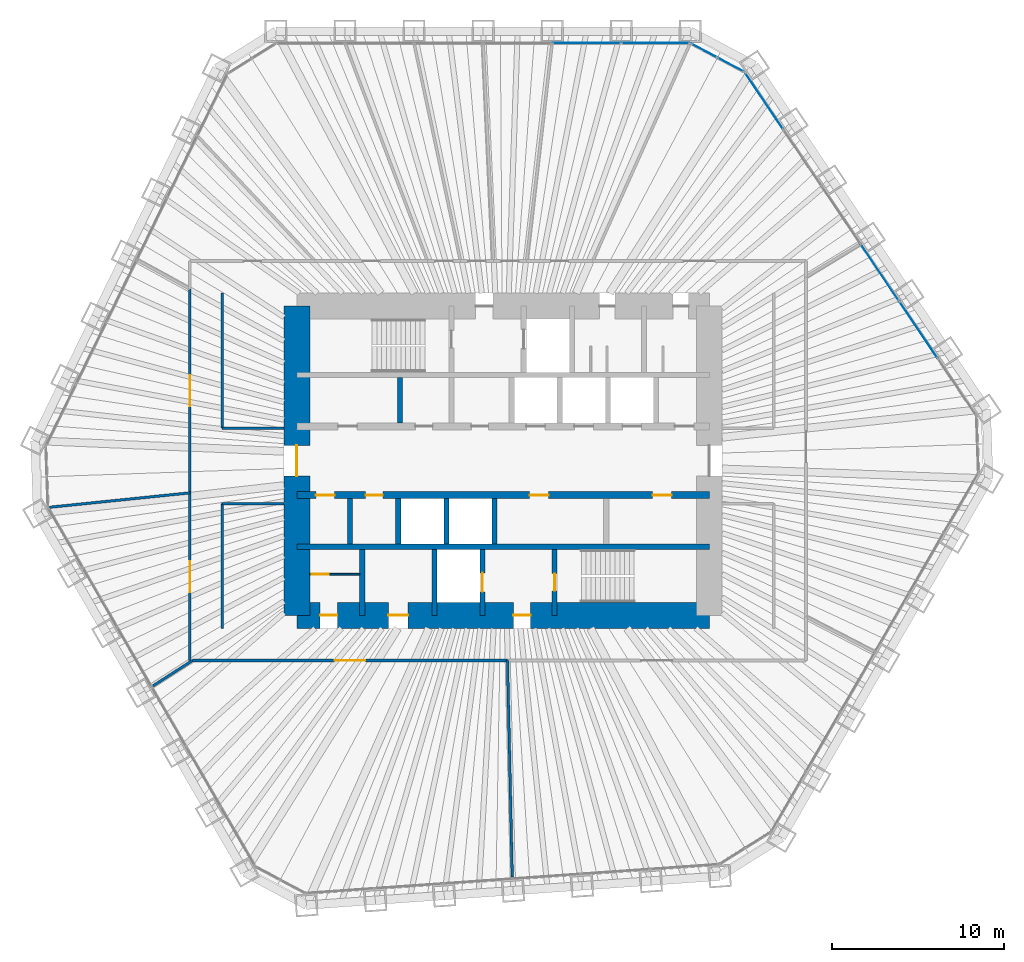
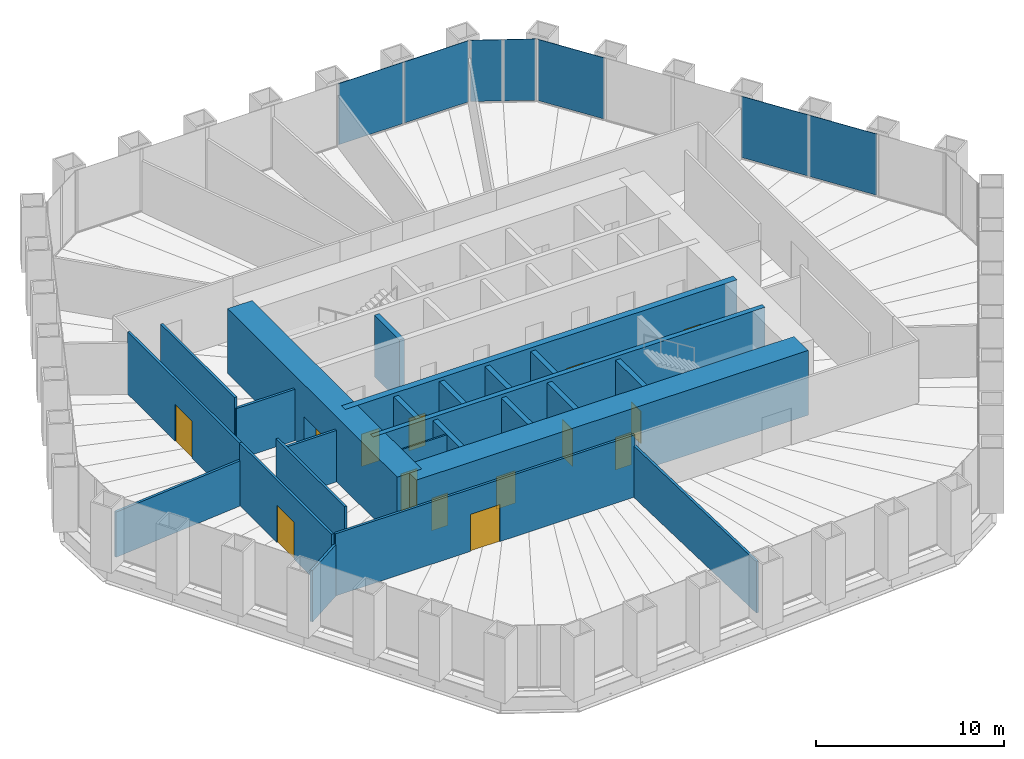
# One storey, part 10 of 13: 24 walls, 14 doors, 7 plates, 14 openings, 3 elements without a shape of their own.
"""IFC4 building model written with IfcOpenShell, lengths in metres."""

from ifc_helpers import new_model, si_unit, direction, frame, frame_2d, origin, origin_2d, place, context, subcontext, project, spatial, rectangle, extrude, material, layer, layer_set, type_object, element, fill, aggregate, save


model = new_model("IFC4")

# Units and contexts
model_context = context("Model", 3, precision=1e-05, world=origin(), true_north=direction((0.0, 1.0)))
body_context = subcontext(model_context, "Body", "Model", "MODEL_VIEW")
ifc_project = project(units=[si_unit("LENGTHUNIT", "METRE"), si_unit("AREAUNIT", "SQUARE_METRE"), si_unit("VOLUMEUNIT", "CUBIC_METRE"), si_unit("PLANEANGLEUNIT", "RADIAN"), si_unit("MASSUNIT", "GRAM", prefix="KILO")], contexts=[model_context])

# Site, building, storey
site_placement = place(None, origin())
site = spatial("IfcSite", under=ifc_project, at=site_placement, CompositionType="ELEMENT")
building_placement = place(site_placement, origin())
building = spatial("IfcBuilding", under=site, at=building_placement, Name="Qingtian Harvest Tower", CompositionType="ELEMENT")
storey_placement = place(building_placement, frame((0.0, 0.0, 145.0)))
storey = spatial("IfcBuildingStorey", under=building, at=storey_placement, Name="L30", CompositionType="ELEMENT", Elevation=145.0)

# Curtain wall, plates
ifc_material_1 = material(Name="Bronze-anodised aluminium curtain wall", Category="aluminium")
curtain_wall_type = type_object("IfcCurtainWallType", Name="Curtain wall CW4 office", PredefinedType="USERDEFINED", material=ifc_material_1)
curtain_wall_1_placement = place(storey_placement, origin())
curtain_wall_1 = element("IfcCurtainWall", 1, at=curtain_wall_1_placement, inside=storey, type_object=curtain_wall_type, Name="Curtain wall CW4 L30 N0-5", ObjectType="RECESSED CURTAIN WALL", PredefinedType="USERDEFINED")
ifc_material_2 = material(Name="Bronze-tinted laminated insulating glass", Category="glass")
ifc_layer_1 = layer(ifc_material_2, 0.030029296875)
ifc_layer_set_1 = layer_set([ifc_layer_1], Name="Glazed panel CWP tinted IGU")
plate_type = type_object("IfcPlateType", Name="Glazed panel CWP tinted IGU", PredefinedType="CURTAIN_PANEL", material=ifc_layer_set_1)
plate_1_placement = place(storey_placement, frame((4.864013671875, 24.300048828125, 0.06494140625), z_axis=(0.0, 0.0, 1.0), x_axis=(1.0, 0.0, 0.0)))
plate_1 = element("IfcPlate", 2, at=plate_1_placement, type_object=plate_type, Name="CW4 panel 5.1", PredefinedType="CURTAIN_PANEL", context=body_context, shape_type="SweptSolid", body=[
    extrude(rectangle(XDim=3.9541015625, YDim=0.030029296875, at=origin_2d()), origin(), (0.0, 0.0, 1.0), 3.965087890625),
])
plate_2_placement = place(storey_placement, frame((8.866943359375, 24.300048828125, 0.06494140625), z_axis=(0.0, 0.0, 1.0), x_axis=(1.0, 0.0, 0.0)))
plate_2 = element("IfcPlate", 3, at=plate_2_placement, type_object=plate_type, Name="CW4 panel 6.1", PredefinedType="CURTAIN_PANEL", context=body_context, shape_type="SweptSolid", body=[
    extrude(rectangle(XDim=3.921630859375, YDim=0.030029296875, at=origin_2d()), origin(), (0.0, 0.0, 1.0), 3.965087890625),
])
aggregate(curtain_wall_1, [plate_1, plate_2])

curtain_wall_2_placement = place(storey_placement, origin())
curtain_wall_2 = element("IfcCurtainWall", 4, at=curtain_wall_2_placement, inside=storey, type_object=curtain_wall_type, Name="Curtain wall CW4 L30 NC", ObjectType="RECESSED CURTAIN WALL", PredefinedType="USERDEFINED")
plate_3_placement = place(storey_placement, frame((11.697509765625, 23.8720703125, 0.06494140625), z_axis=(0.0, 0.0, 1.0), x_axis=(0.882947592859, -0.469471562786, 0.0)))
plate_3 = element("IfcPlate", 5, at=plate_3_placement, type_object=plate_type, Name="CW4 panel 1.1", PredefinedType="CURTAIN_PANEL", context=body_context, shape_type="SweptSolid", body=[
    extrude(rectangle(XDim=1.69287109375, YDim=0.030029296875, at=origin_2d()), origin(), (0.0, 0.0, 1.0), 3.965087890625),
])
plate_4_placement = place(storey_placement, frame((13.249755859375, 23.046875, 0.06494140625), z_axis=(0.0, 0.0, 1.0), x_axis=(0.882947592859, -0.469471562786, 0.0)))
plate_4 = element("IfcPlate", 6, at=plate_4_placement, type_object=plate_type, Name="CW4 panel 2.1", PredefinedType="CURTAIN_PANEL", context=body_context, shape_type="SweptSolid", body=[
    extrude(rectangle(XDim=1.69287109375, YDim=0.030029296875, at=origin_2d()), origin(), (0.0, 0.0, 1.0), 3.965087890625),
])
aggregate(curtain_wall_2, [plate_3, plate_4])

curtain_wall_3_placement = place(storey_placement, origin())
curtain_wall_3 = element("IfcCurtainWall", 7, at=curtain_wall_3_placement, inside=storey, type_object=curtain_wall_type, Name="Curtain wall CW4 L30 NE0-5", ObjectType="RECESSED CURTAIN WALL", PredefinedType="USERDEFINED")
plate_5_placement = place(storey_placement, frame((15.187255859375, 20.939453125, 0.06494140625), z_axis=(0.0, 0.0, 1.0), x_axis=(0.559192903471, -0.829037572555, 0.0)))
plate_5 = element("IfcPlate", 8, at=plate_5_placement, type_object=plate_type, Name="CW4 panel 1.1", PredefinedType="CURTAIN_PANEL", context=body_context, shape_type="SweptSolid", body=[
    extrude(rectangle(XDim=3.921630859375, YDim=0.030029296875, at=origin_2d()), origin(), (0.0, 0.0, 1.0), 3.965087890625),
])
plate_6_placement = place(storey_placement, frame((21.92041015625, 10.95703125, 0.06494140625), z_axis=(0.0, 0.0, 1.0), x_axis=(0.559192903471, -0.829037572555, 0.0)))
plate_6 = element("IfcPlate", 9, at=plate_6_placement, type_object=plate_type, Name="CW4 panel 4.1", PredefinedType="CURTAIN_PANEL", context=body_context, shape_type="SweptSolid", body=[
    extrude(rectangle(XDim=3.9541015625, YDim=0.030029296875, at=origin_2d()), origin(), (0.0, 0.0, 1.0), 3.965087890625),
])
plate_7_placement = place(storey_placement, frame((24.16796875, 7.625, 0.06494140625), z_axis=(0.0, 0.0, 1.0), x_axis=(0.559192903471, -0.829037572555, 0.0)))
plate_7 = element("IfcPlate", 10, at=plate_7_placement, type_object=plate_type, Name="CW4 panel 5.1", PredefinedType="CURTAIN_PANEL", context=body_context, shape_type="SweptSolid", body=[
    extrude(rectangle(XDim=3.9541015625, YDim=0.030029296875, at=origin_2d()), origin(), (0.0, 0.0, 1.0), 3.965087890625),
])
aggregate(curtain_wall_3, [plate_5, plate_6, plate_7])

# Wall
ifc_material_3 = material(Name="Concrete fc' 70 MPa", Category="concrete")
ifc_layer_2 = layer(ifc_material_3, 0.300048828125)
ifc_layer_set_2 = layer_set([ifc_layer_2], Name="Core inner wall RC5 300")
wall_type_1 = type_object("IfcWallType", Name="Core inner wall RC5 300", PredefinedType="SHEAR", material=ifc_layer_set_2)
wall_1_placement = place(storey_placement, frame((-12.0, -5.0, 0.0), z_axis=(0.0, 0.0, 1.0), x_axis=(1.0, 0.0, 0.0)))
element("IfcWall", 11, at=wall_1_placement, inside=storey, type_object=wall_type_1, Name="Core wall IS5 L30", PredefinedType="SHEAR", context=body_context, shape_type="SweptSolid", body=[
    extrude(rectangle(XDim=24.0, YDim=0.300048828125, at=frame_2d((12.0, 0.0))), origin(), (0.0, 0.0, 1.0), 4.199951171875),
])

# Wall, openings, doors
ifc_material_4 = material(Name="Concrete fc' 70 MPa", Category="concrete")
ifc_layer_3 = layer(ifc_material_4, 0.39990234375)
ifc_layer_set_3 = layer_set([ifc_layer_3], Name="Core inner web RC6 400")
wall_type_2 = type_object("IfcWallType", Name="Core inner web RC6 400", PredefinedType="SHEAR", material=ifc_layer_set_3)
wall_2_placement = place(storey_placement, frame((-12.0, -2.0, 0.0), z_axis=(0.0, 0.0, 1.0), x_axis=(1.0, 0.0, 0.0)))
wall_2 = element("IfcWall", 12, at=wall_2_placement, inside=storey, type_object=wall_type_2, Name="Core wall IS2 L30", PredefinedType="SHEAR", context=body_context, shape_type="SweptSolid", body=[
    extrude(rectangle(XDim=24.0, YDim=0.39990234375, at=frame_2d((12.0, 0.0))), origin(), (0.0, 0.0, 1.0), 4.199951171875),
])
opening_1_placement = place(wall_2_placement, frame((1.10009765625, 0.0, 0.0)))
opening_1 = element("IfcOpeningElement", 13, at=opening_1_placement, cuts=wall_2, Name="Opening FD4", PredefinedType="OPENING", context=body_context, shape_type="SweptSolid", body=[
    extrude(rectangle(XDim=1.10009765625, YDim=2.10009765625, at=frame_2d((0.550048828125, 1.050048828125))), frame((0.0, 0.2099609375, 0.0), z_axis=(0.0, -1.0, 0.0), x_axis=(1.0, 0.0, 0.0)), (0.0, 0.0, 1.0), 0.419921875),
])
opening_2_placement = place(wall_2_placement, frame((13.550048828125, 0.0, 0.0)))
opening_2 = element("IfcOpeningElement", 14, at=opening_2_placement, cuts=wall_2, Name="Opening FD4", PredefinedType="OPENING", context=body_context, shape_type="SweptSolid", body=[
    extrude(rectangle(XDim=1.10009765625, YDim=2.10009765625, at=frame_2d((0.550048828125, 1.050048828125))), frame((0.0, 0.2099609375, 0.0), z_axis=(0.0, -1.0, 0.0), x_axis=(1.0, 0.0, 0.0)), (0.0, 0.0, 1.0), 0.419921875),
])
opening_3_placement = place(wall_2_placement, frame((20.699951171875, 0.0, 0.0)))
opening_3 = element("IfcOpeningElement", 15, at=opening_3_placement, cuts=wall_2, Name="Opening FD4", PredefinedType="OPENING", context=body_context, shape_type="SweptSolid", body=[
    extrude(rectangle(XDim=1.10009765625, YDim=2.10009765625, at=frame_2d((0.550048828125, 1.050048828125))), frame((0.0, 0.2099609375, 0.0), z_axis=(0.0, -1.0, 0.0), x_axis=(1.0, 0.0, 0.0)), (0.0, 0.0, 1.0), 0.419921875),
])
opening_4_placement = place(wall_2_placement, frame((4.0, 0.0, 0.0)))
opening_4 = element("IfcOpeningElement", 16, at=opening_4_placement, cuts=wall_2, Name="Opening FD1", PredefinedType="OPENING", context=body_context, shape_type="SweptSolid", body=[
    extrude(rectangle(XDim=1.0, YDim=2.10009765625, at=frame_2d((0.5, 1.050048828125))), frame((0.0, 0.2099609375, 0.0), z_axis=(0.0, -1.0, 0.0), x_axis=(1.0, 0.0, 0.0)), (0.0, 0.0, 1.0), 0.419921875),
])
ifc_material_5 = material(Name="Steel-faced door leaf", Category="steel")
door_type_1 = type_object("IfcDoorType", Name="Fire door FD1 single 1 HR", OperationType="SINGLE_SWING_LEFT", PredefinedType="DOOR", material=ifc_material_5)
door_1_placement = place(opening_4_placement, origin())
door_1 = element("IfcDoor", 17, at=door_1_placement, inside=storey, type_object=door_type_1, Name="Archive store door L30", OperationType="SINGLE_SWING_RIGHT", OverallHeight=2.10009765625, OverallWidth=1.0, PredefinedType="DOOR", context=body_context, shape_type="SweptSolid", body=[
    extrude(rectangle(XDim=1.0, YDim=2.10009765625, at=frame_2d((0.5, 1.050048828125))), frame((0.0, 0.02490234375, 0.0), z_axis=(0.0, -1.0, 0.0), x_axis=(1.0, 0.0, 0.0)), (0.0, 0.0, 1.0), 0.050048828125),
])
fill(opening_4, door_1)
ifc_material_6 = material(Name="Steel-faced door leaf", Category="steel")
door_type_2 = type_object("IfcDoorType", Name="Fire door FD4 single 2 HR", OperationType="SINGLE_SWING_LEFT", PredefinedType="DOOR", material=ifc_material_6)
door_2_placement = place(opening_1_placement, origin())
door_2 = element("IfcDoor", 18, at=door_2_placement, inside=storey, type_object=door_type_2, Name="RB door L30", OperationType="SINGLE_SWING_LEFT", OverallHeight=2.10009765625, OverallWidth=1.10009765625, PredefinedType="DOOR", context=body_context, shape_type="SweptSolid", body=[
    extrude(rectangle(XDim=1.10009765625, YDim=2.10009765625, at=frame_2d((0.550048828125, 1.050048828125))), frame((0.0, 0.02490234375, 0.0), z_axis=(0.0, -1.0, 0.0), x_axis=(1.0, 0.0, 0.0)), (0.0, 0.0, 1.0), 0.050048828125),
])
fill(opening_1, door_2)
door_3_placement = place(opening_2_placement, origin())
door_3 = element("IfcDoor", 19, at=door_3_placement, inside=storey, type_object=door_type_2, Name="ELEC door L30", OperationType="SINGLE_SWING_RIGHT", OverallHeight=2.10009765625, OverallWidth=1.10009765625, PredefinedType="DOOR", context=body_context, shape_type="SweptSolid", body=[
    extrude(rectangle(XDim=1.10009765625, YDim=2.10009765625, at=frame_2d((0.550048828125, 1.050048828125))), frame((0.0, 0.02490234375, 0.0), z_axis=(0.0, -1.0, 0.0), x_axis=(1.0, 0.0, 0.0)), (0.0, 0.0, 1.0), 0.050048828125),
])
fill(opening_2, door_3)
door_4_placement = place(opening_3_placement, origin())
door_4 = element("IfcDoor", 20, at=door_4_placement, inside=storey, type_object=door_type_2, Name="DUCT door L30", OperationType="SINGLE_SWING_LEFT", OverallHeight=2.10009765625, OverallWidth=1.10009765625, PredefinedType="DOOR", context=body_context, shape_type="SweptSolid", body=[
    extrude(rectangle(XDim=1.10009765625, YDim=2.10009765625, at=frame_2d((0.550048828125, 1.050048828125))), frame((0.0, 0.02490234375, 0.0), z_axis=(0.0, -1.0, 0.0), x_axis=(1.0, 0.0, 0.0)), (0.0, 0.0, 1.0), 0.050048828125),
])
fill(opening_3, door_4)

# Walls
ifc_material_7 = material(Name="Precast concrete shaft panel", Category="concrete")
ifc_layer_4 = layer(ifc_material_7, 0.300048828125)
ifc_layer_set_4 = layer_set([ifc_layer_4], Name="Core shaft partition SW1 300")
wall_type_3 = type_object("IfcWallType", Name="Core shaft partition SW1 300", PredefinedType="PARTITIONING", material=ifc_layer_set_4)
for number, where, z_axis, x_axis, name in (
    (21, (-6.0, 2.199951171875, 0.0), (0.0, 0.0, 1.0), (0.0, 1.0, 0.0), "Core shaft partition XA1 L30"),
    (22, (-8.89990234375, -4.85009765625, 0.0), (0.0, 0.0, 1.0), (0.0, 1.0, 0.0), "Core shaft partition XB1 L30"),
    (23, (-6.10009765625, -4.85009765625, 0.0), (0.0, 0.0, 1.0), (0.0, 1.0, 0.0), "Core shaft partition XB2 L30"),
    (24, (-3.300048828125, -4.85009765625, 0.0), (0.0, 0.0, 1.0), (0.0, 1.0, 0.0), "Core shaft partition XB3 L30"),
    (25, (-0.5, -4.85009765625, 0.0), (0.0, 0.0, 1.0), (0.0, 1.0, 0.0), "Core shaft partition XB4 L30"),
):
    element("IfcWall", number, at=place(storey_placement, frame(where, z_axis=z_axis, x_axis=x_axis)), inside=storey, type_object=wall_type_3, Name=name, PredefinedType="PARTITIONING", context=body_context, shape_type="SweptSolid", body=[
        extrude(rectangle(XDim=2.650146484375, YDim=0.300048828125, at=frame_2d((1.3251953125, 0.0))), origin(), (0.0, 0.0, 1.0), 3.97998046875),
    ])
for number, where, z_axis, x_axis, name in (
    (26, (-8.199951171875, -9.0, 0.0), (0.0, 0.0, 1.0), (0.0, 1.0, 0.0), "Core shaft partition XS1 L30"),
    (27, (-4.0, -9.0, 0.0), (0.0, 0.0, 1.0), (0.0, 1.0, 0.0), "Core shaft partition XS2 L30"),
):
    element("IfcWall", number, at=place(storey_placement, frame(where, z_axis=z_axis, x_axis=x_axis)), inside=storey, type_object=wall_type_3, Name=name, PredefinedType="PARTITIONING", context=body_context, shape_type="SweptSolid", body=[
        extrude(rectangle(XDim=3.85009765625, YDim=0.300048828125, at=frame_2d((1.925048828125, 0.0))), origin(), (0.0, 0.0, 1.0), 3.97998046875),
    ])

# Wall, opening, door
wall_3_placement = place(storey_placement, frame((-1.199951171875, -9.0, 0.0), z_axis=(0.0, 0.0, 1.0), x_axis=(0.0, 1.0, 0.0)))
wall_3 = element("IfcWall", 28, at=wall_3_placement, inside=storey, type_object=wall_type_3, Name="Core shaft partition XS3 L30", PredefinedType="PARTITIONING", context=body_context, shape_type="SweptSolid", body=[
    extrude(rectangle(XDim=3.85009765625, YDim=0.300048828125, at=frame_2d((1.925048828125, 0.0))), origin(), (0.0, 0.0, 1.0), 3.97998046875),
])
opening_5_placement = place(wall_3_placement, frame((1.375, 0.0, 0.0)))
opening_5 = element("IfcOpeningElement", 29, at=opening_5_placement, cuts=wall_3, Name="Opening LD1", PredefinedType="OPENING", context=body_context, shape_type="SweptSolid", body=[
    extrude(rectangle(XDim=1.10009765625, YDim=2.39990234375, at=frame_2d((0.550048828125, 1.199951171875))), frame((0.0, 0.159912109375, 0.0), z_axis=(0.0, -1.0, 0.0), x_axis=(1.0, 0.0, 0.0)), (0.0, 0.0, 1.0), 0.320068359375),
])
ifc_material_8 = material(Name="Stainless steel lift landing door", Category="steel")
door_type_3 = type_object("IfcDoorType", Name="Lift landing door LD1 1 HR", OperationType="DOUBLE_DOOR_SLIDING", PredefinedType="DOOR", material=ifc_material_8)
door_5_placement = place(opening_5_placement, origin())
door_5 = element("IfcDoor", 30, at=door_5_placement, inside=storey, type_object=door_type_3, Name="FL2 landing door L30", OperationType="DOUBLE_DOOR_SLIDING", OverallHeight=2.39990234375, OverallWidth=1.10009765625, PredefinedType="DOOR", context=body_context, shape_type="SweptSolid", body=[
    extrude(rectangle(XDim=1.10009765625, YDim=2.39990234375, at=frame_2d((0.550048828125, 1.199951171875))), frame((0.0, 0.02490234375, 0.0), z_axis=(0.0, -1.0, 0.0), x_axis=(1.0, 0.0, 0.0)), (0.0, 0.0, 1.0), 0.050048828125),
])
fill(opening_5, door_5)

wall_4_placement = place(storey_placement, frame((3.0, -9.0, 0.0), z_axis=(0.0, 0.0, 1.0), x_axis=(0.0, 1.0, 0.0)))
wall_4 = element("IfcWall", 31, at=wall_4_placement, inside=storey, type_object=wall_type_3, Name="Core shaft partition XS4 L30", PredefinedType="PARTITIONING", context=body_context, shape_type="SweptSolid", body=[
    extrude(rectangle(XDim=3.85009765625, YDim=0.300048828125, at=frame_2d((1.925048828125, 0.0))), origin(), (0.0, 0.0, 1.0), 3.97998046875),
])
opening_6_placement = place(wall_4_placement, frame((1.425048828125, 0.0, 0.0)))
opening_6 = element("IfcOpeningElement", 32, at=opening_6_placement, cuts=wall_4, Name="Opening FD1", PredefinedType="OPENING", context=body_context, shape_type="SweptSolid", body=[
    extrude(rectangle(XDim=1.0, YDim=2.10009765625, at=frame_2d((0.5, 1.050048828125))), frame((0.0, 0.159912109375, 0.0), z_axis=(0.0, -1.0, 0.0), x_axis=(1.0, 0.0, 0.0)), (0.0, 0.0, 1.0), 0.320068359375),
])
door_6_placement = place(opening_6_placement, origin())
door_6 = element("IfcDoor", 33, at=door_6_placement, inside=storey, type_object=door_type_1, Name="S2 door L30", OperationType="SINGLE_SWING_RIGHT", OverallHeight=2.10009765625, OverallWidth=1.0, PredefinedType="DOOR", context=body_context, shape_type="SweptSolid", body=[
    extrude(rectangle(XDim=1.0, YDim=2.10009765625, at=frame_2d((0.5, 1.050048828125))), frame((0.0, 0.02490234375, 0.0), z_axis=(0.0, -1.0, 0.0), x_axis=(1.0, 0.0, 0.0)), (0.0, 0.0, 1.0), 0.050048828125),
])
fill(opening_6, door_6)

# Wall, openings, doors
ifc_material_9 = material(Name="Concrete fc' 70 MPa", Category="concrete")
ifc_layer_5 = layer(ifc_material_9, 1.5)
ifc_layer_set_5 = layer_set([ifc_layer_5], Name="Core wall RC1 1500")
wall_type_4 = type_object("IfcWallType", Name="Core wall RC1 1500", PredefinedType="SHEAR", material=ifc_layer_set_5)
wall_5_placement = place(storey_placement, frame((-12.0, -9.0, 0.0), z_axis=(0.0, 0.0, 1.0), x_axis=(1.0, 0.0, 0.0)))
wall_5 = element("IfcWall", 34, at=wall_5_placement, inside=storey, type_object=wall_type_4, Name="Core wall CS L30", PredefinedType="SHEAR", context=body_context, shape_type="SweptSolid", body=[
    extrude(rectangle(XDim=24.0, YDim=1.5, at=frame_2d((12.0, 0.0))), origin(), (0.0, 0.0, 1.0), 4.199951171875),
])
opening_7_placement = place(wall_5_placement, frame((1.35009765625, 0.0, 0.0)))
opening_7 = element("IfcOpeningElement", 35, at=opening_7_placement, cuts=wall_5, Name="Opening FD1", PredefinedType="OPENING", context=body_context, shape_type="SweptSolid", body=[
    extrude(rectangle(XDim=1.0, YDim=2.10009765625, at=frame_2d((0.5, 1.050048828125))), frame((0.0, 0.760009765625, 0.0), z_axis=(0.0, -1.0, 0.0), x_axis=(1.0, 0.0, 0.0)), (0.0, 0.0, 1.0), 1.52001953125),
])
opening_8_placement = place(wall_5_placement, frame((5.324951171875, 0.0, 0.0)))
opening_8 = element("IfcOpeningElement", 36, at=opening_8_placement, cuts=wall_5, Name="Opening AD1", PredefinedType="OPENING", context=body_context, shape_type="SweptSolid", body=[
    extrude(rectangle(XDim=1.14990234375, YDim=2.10009765625, at=frame_2d((0.574951171875, 1.050048828125))), frame((0.0, 0.760009765625, 0.0), z_axis=(0.0, -1.0, 0.0), x_axis=(1.0, 0.0, 0.0)), (0.0, 0.0, 1.0), 1.52001953125),
])
opening_9_placement = place(wall_5_placement, frame((12.60009765625, 0.0, 0.0)))
opening_9 = element("IfcOpeningElement", 37, at=opening_9_placement, cuts=wall_5, Name="Opening FD1", PredefinedType="OPENING", context=body_context, shape_type="SweptSolid", body=[
    extrude(rectangle(XDim=1.0, YDim=2.10009765625, at=frame_2d((0.5, 1.050048828125))), frame((0.0, 0.760009765625, 0.0), z_axis=(0.0, -1.0, 0.0), x_axis=(1.0, 0.0, 0.0)), (0.0, 0.0, 1.0), 1.52001953125),
])
ifc_material_10 = material(Name="Laminated timber door leaf", Category="wood")
door_type_4 = type_object("IfcDoorType", Name="Accessible WC door AD1 single", OperationType="SINGLE_SWING_LEFT", PredefinedType="DOOR", material=ifc_material_10)
door_7_placement = place(opening_8_placement, origin())
door_7 = element("IfcDoor", 38, at=door_7_placement, inside=storey, type_object=door_type_4, Name="AWC door L30", OperationType="SINGLE_SWING_RIGHT", OverallHeight=2.10009765625, OverallWidth=1.14990234375, PredefinedType="DOOR", context=body_context, shape_type="SweptSolid", body=[
    extrude(rectangle(XDim=1.14990234375, YDim=2.10009765625, at=frame_2d((0.574951171875, 1.050048828125))), frame((0.0, 0.02490234375, 0.0), z_axis=(0.0, -1.0, 0.0), x_axis=(1.0, 0.0, 0.0)), (0.0, 0.0, 1.0), 0.050048828125),
])
fill(opening_8, door_7)
door_8_placement = place(opening_7_placement, origin())
door_8 = element("IfcDoor", 39, at=door_8_placement, inside=storey, type_object=door_type_1, Name="CLN door L30", OperationType="SINGLE_SWING_LEFT", OverallHeight=2.10009765625, OverallWidth=1.0, PredefinedType="DOOR", context=body_context, shape_type="SweptSolid", body=[
    extrude(rectangle(XDim=1.0, YDim=2.10009765625, at=frame_2d((0.5, 1.050048828125))), frame((0.0, 0.02490234375, 0.0), z_axis=(0.0, -1.0, 0.0), x_axis=(1.0, 0.0, 0.0)), (0.0, 0.0, 1.0), 0.050048828125),
])
fill(opening_7, door_8)
door_9_placement = place(opening_9_placement, origin())
door_9 = element("IfcDoor", 40, at=door_9_placement, inside=storey, type_object=door_type_1, Name="V2 door L30", OperationType="SINGLE_SWING_RIGHT", OverallHeight=2.10009765625, OverallWidth=1.0, PredefinedType="DOOR", context=body_context, shape_type="SweptSolid", body=[
    extrude(rectangle(XDim=1.0, YDim=2.10009765625, at=frame_2d((0.5, 1.050048828125))), frame((0.0, 0.02490234375, 0.0), z_axis=(0.0, -1.0, 0.0), x_axis=(1.0, 0.0, 0.0)), (0.0, 0.0, 1.0), 0.050048828125),
])
fill(opening_9, door_9)

# Wall, opening, door
wall_6_placement = place(storey_placement, frame((-12.0, -9.0, 0.0), z_axis=(0.0, 0.0, 1.0), x_axis=(0.0, 1.0, 0.0)))
wall_6 = element("IfcWall", 41, at=wall_6_placement, inside=storey, type_object=wall_type_4, Name="Core wall CW L30", PredefinedType="SHEAR", context=body_context, shape_type="SweptSolid", body=[
    extrude(rectangle(XDim=18.0, YDim=1.5, at=frame_2d((9.0, 0.0))), origin(), (0.0, 0.0, 1.0), 4.199951171875),
])
opening_10_placement = place(wall_6_placement, frame((8.10009765625, 0.0, 0.0)))
opening_10 = element("IfcOpeningElement", 42, at=opening_10_placement, cuts=wall_6, Name="Opening FD2", PredefinedType="OPENING", context=body_context, shape_type="SweptSolid", body=[
    extrude(rectangle(XDim=1.800048828125, YDim=2.10009765625, at=frame_2d((0.89990234375, 1.050048828125))), frame((0.0, 0.760009765625, 0.0), z_axis=(0.0, -1.0, 0.0), x_axis=(1.0, 0.0, 0.0)), (0.0, 0.0, 1.0), 1.52001953125),
])
ifc_material_11 = material(Name="Steel-faced door leaf", Category="steel")
door_type_5 = type_object("IfcDoorType", Name="Fire door FD2 double 1 HR", OperationType="DOUBLE_DOOR_DOUBLE_SWING", PredefinedType="DOOR", material=ifc_material_11)
door_10_placement = place(opening_10_placement, origin())
door_10 = element("IfcDoor", 43, at=door_10_placement, inside=storey, type_object=door_type_5, Name="LOBBY-W door L30", OperationType="DOUBLE_DOOR_DOUBLE_SWING", OverallHeight=2.10009765625, OverallWidth=1.800048828125, PredefinedType="DOOR", context=body_context, shape_type="SweptSolid", body=[
    extrude(rectangle(XDim=1.800048828125, YDim=2.10009765625, at=frame_2d((0.89990234375, 1.050048828125))), frame((0.0, 0.02490234375, 0.0), z_axis=(0.0, -1.0, 0.0), x_axis=(1.0, 0.0, 0.0)), (0.0, 0.0, 1.0), 0.050048828125),
])
fill(opening_10, door_10)

# Wall
ifc_material_12 = material(Name="Gypsum board on steel studs", Category="steel")
ifc_layer_6 = layer(ifc_material_12, 0.14990234375)
ifc_layer_set_6 = layer_set([ifc_layer_6], Name="Partition PT1 150")
wall_type_5 = type_object("IfcWallType", Name="Partition PT1 150", PredefinedType="PARTITIONING", material=ifc_layer_set_6)
wall_7_placement = place(storey_placement, frame((0.53125, -24.22216796875, 0.0), z_axis=(0.0, 0.0, 1.0), x_axis=(-0.021933557026, 0.999759430601, 0.0)))
element("IfcWall", 44, at=wall_7_placement, inside=storey, type_object=wall_type_5, Name="Office suite wall L30", PredefinedType="PARTITIONING", context=body_context, shape_type="SweptSolid", body=[
    extrude(rectangle(XDim=12.60009765625, YDim=0.14990234375, at=frame_2d((6.300048828125, 0.0))), origin(), (0.0, 0.0, 1.0), 3.330078125),
])

# Wall, opening, door
wall_8_placement = place(storey_placement, frame((0.2548828125, -11.625, 0.0), z_axis=(0.0, 0.0, 1.0), x_axis=(-1.0, 0.0, 0.0)))
wall_8 = element("IfcWall", 45, at=wall_8_placement, inside=storey, type_object=wall_type_5, Name="Office suite wall L30", PredefinedType="PARTITIONING", context=body_context, shape_type="SweptSolid", body=[
    extrude(rectangle(XDim=18.332275390625, YDim=0.14990234375, at=frame_2d((9.166015625, 0.0))), origin(), (0.0, 0.0, 1.0), 4.030029296875),
])
opening_11_placement = place(wall_8_placement, frame((8.26611328125, 0.0, 0.0)))
opening_11 = element("IfcOpeningElement", 46, at=opening_11_placement, cuts=wall_8, Name="Opening D3", PredefinedType="OPENING", context=body_context, shape_type="SweptSolid", body=[
    extrude(rectangle(XDim=1.800048828125, YDim=2.39990234375, at=frame_2d((0.89990234375, 1.199951171875))), frame((0.0, 0.0849609375, 0.0), z_axis=(0.0, -1.0, 0.0), x_axis=(1.0, 0.0, 0.0)), (0.0, 0.0, 1.0), 0.169921875),
])
ifc_material_13 = material(Name="Laminated timber door leaf", Category="wood")
door_type_6 = type_object("IfcDoorType", Name="Room door D3 double", OperationType="DOUBLE_DOOR_DOUBLE_SWING", PredefinedType="DOOR", material=ifc_material_13)
door_11_placement = place(opening_11_placement, origin())
door_11 = element("IfcDoor", 47, at=door_11_placement, inside=storey, type_object=door_type_6, Name="Office suite door L30", OperationType="DOUBLE_DOOR_DOUBLE_SWING", OverallHeight=2.39990234375, OverallWidth=1.800048828125, PredefinedType="DOOR", context=body_context, shape_type="SweptSolid", body=[
    extrude(rectangle(XDim=1.800048828125, YDim=2.39990234375, at=frame_2d((0.89990234375, 1.199951171875))), frame((0.0, 0.02490234375, 0.0), z_axis=(0.0, -1.0, 0.0), x_axis=(1.0, 0.0, 0.0)), (0.0, 0.0, 1.0), 0.050048828125),
])
fill(opening_11, door_11)

# Wall
wall_9_placement = place(storey_placement, frame((-20.378173828125, -13.1044921875, 0.0), z_axis=(0.0, 0.0, 1.0), x_axis=(0.841108871346, 0.540865848934, 0.0)))
element("IfcWall", 48, at=wall_9_placement, inside=storey, type_object=wall_type_5, Name="Office suite wall L30", PredefinedType="PARTITIONING", context=body_context, shape_type="SweptSolid", body=[
    extrude(rectangle(XDim=2.7353515625, YDim=0.14990234375, at=frame_2d((1.36767578125, 0.0))), origin(), (0.0, 0.0, 1.0), 3.330078125),
])

# Wall, opening, door
wall_10_placement = place(storey_placement, frame((-18.22509765625, -11.625, 0.0), z_axis=(0.0, 0.0, 1.0), x_axis=(0.0, 1.0, 0.0)))
wall_10 = element("IfcWall", 49, at=wall_10_placement, inside=storey, type_object=wall_type_5, Name="Office suite wall L30", PredefinedType="PARTITIONING", context=body_context, shape_type="SweptSolid", body=[
    extrude(rectangle(XDim=9.756103515625, YDim=0.14990234375, at=frame_2d((4.8779296875, 0.0))), origin(), (0.0, 0.0, 1.0), 4.030029296875),
])
opening_12_placement = place(wall_10_placement, frame((3.97802734375, 0.0, 0.0)))
opening_12 = element("IfcOpeningElement", 50, at=opening_12_placement, cuts=wall_10, Name="Opening D3", PredefinedType="OPENING", context=body_context, shape_type="SweptSolid", body=[
    extrude(rectangle(XDim=1.800048828125, YDim=2.39990234375, at=frame_2d((0.89990234375, 1.199951171875))), frame((0.0, 0.0849609375, 0.0), z_axis=(0.0, -1.0, 0.0), x_axis=(1.0, 0.0, 0.0)), (0.0, 0.0, 1.0), 0.169921875),
])
door_12_placement = place(opening_12_placement, origin())
door_12 = element("IfcDoor", 51, at=door_12_placement, inside=storey, type_object=door_type_6, Name="Office suite door L30", OperationType="DOUBLE_DOOR_DOUBLE_SWING", OverallHeight=2.39990234375, OverallWidth=1.800048828125, PredefinedType="DOOR", context=body_context, shape_type="SweptSolid", body=[
    extrude(rectangle(XDim=1.800048828125, YDim=2.39990234375, at=frame_2d((0.89990234375, 1.199951171875))), frame((0.0, 0.02490234375, 0.0), z_axis=(0.0, -1.0, 0.0), x_axis=(1.0, 0.0, 0.0)), (0.0, 0.0, 1.0), 0.050048828125),
])
fill(opening_12, door_12)

# Wall
wall_11_placement = place(storey_placement, frame((-26.391357421875, -2.706298828125, 0.0), z_axis=(0.0, 0.0, 1.0), x_axis=(0.994783450774, 0.102009245004, 0.0)))
element("IfcWall", 52, at=wall_11_placement, inside=storey, type_object=wall_type_5, Name="Office suite wall L30", PredefinedType="PARTITIONING", context=body_context, shape_type="SweptSolid", body=[
    extrude(rectangle(XDim=8.208984375, YDim=0.14990234375, at=frame_2d((4.1044921875, 0.0))), origin(), (0.0, 0.0, 1.0), 2.929931640625),
])

# Wall, opening, door
wall_12_placement = place(storey_placement, frame((-18.22509765625, -1.868896484375, 0.0), z_axis=(0.0, 0.0, 1.0), x_axis=(0.0, 1.0, 0.0)))
wall_12 = element("IfcWall", 53, at=wall_12_placement, inside=storey, type_object=wall_type_5, Name="Office suite wall L30", PredefinedType="PARTITIONING", context=body_context, shape_type="SweptSolid", body=[
    extrude(rectangle(XDim=11.86474609375, YDim=0.14990234375, at=frame_2d((5.932373046875, 0.0))), origin(), (0.0, 0.0, 1.0), 4.030029296875),
])
opening_13_placement = place(wall_12_placement, frame((5.032470703125, 0.0, 0.0)))
opening_13 = element("IfcOpeningElement", 54, at=opening_13_placement, cuts=wall_12, Name="Opening D3", PredefinedType="OPENING", context=body_context, shape_type="SweptSolid", body=[
    extrude(rectangle(XDim=1.800048828125, YDim=2.39990234375, at=frame_2d((0.89990234375, 1.199951171875))), frame((0.0, 0.0849609375, 0.0), z_axis=(0.0, -1.0, 0.0), x_axis=(1.0, 0.0, 0.0)), (0.0, 0.0, 1.0), 0.169921875),
])
door_13_placement = place(opening_13_placement, origin())
door_13 = element("IfcDoor", 55, at=door_13_placement, inside=storey, type_object=door_type_6, Name="Office suite door L30", OperationType="DOUBLE_DOOR_DOUBLE_SWING", OverallHeight=2.39990234375, OverallWidth=1.800048828125, PredefinedType="DOOR", context=body_context, shape_type="SweptSolid", body=[
    extrude(rectangle(XDim=1.800048828125, YDim=2.39990234375, at=frame_2d((0.89990234375, 1.199951171875))), frame((0.0, 0.02490234375, 0.0), z_axis=(0.0, -1.0, 0.0), x_axis=(1.0, 0.0, 0.0)), (0.0, 0.0, 1.0), 0.050048828125),
])
fill(opening_13, door_13)

# Walls
wall_13_placement = place(storey_placement, frame((-16.35009765625, 1.89990234375, 0.0), z_axis=(0.0, 0.0, 1.0), x_axis=(0.0, 1.0, 0.0)))
element("IfcWall", 56, at=wall_13_placement, inside=storey, type_object=wall_type_5, Name="Reading area wall L30", PredefinedType="PARTITIONING", context=body_context, shape_type="SweptSolid", body=[
    extrude(rectangle(XDim=7.85009765625, YDim=0.14990234375, at=frame_2d((3.925048828125, 0.0))), origin(), (0.0, 0.0, 1.0), 4.030029296875),
])
wall_14_placement = place(storey_placement, frame((-12.75, 1.89990234375, 0.0), z_axis=(0.0, 0.0, 1.0), x_axis=(-1.0, 0.0, 0.0)))
element("IfcWall", 57, at=wall_14_placement, inside=storey, type_object=wall_type_5, Name="Reading area wall L30", PredefinedType="PARTITIONING", context=body_context, shape_type="SweptSolid", body=[
    extrude(rectangle(XDim=3.60009765625, YDim=0.14990234375, at=frame_2d((1.800048828125, 0.0))), origin(), (0.0, 0.0, 1.0), 3.330078125),
])
wall_15_placement = place(storey_placement, frame((-16.35009765625, -9.75, 0.0), z_axis=(0.0, 0.0, 1.0), x_axis=(0.0, 1.0, 0.0)))
element("IfcWall", 58, at=wall_15_placement, inside=storey, type_object=wall_type_5, Name="Coffee point wall L30", PredefinedType="PARTITIONING", context=body_context, shape_type="SweptSolid", body=[
    extrude(rectangle(XDim=7.25, YDim=0.14990234375, at=frame_2d((3.625, 0.0))), origin(), (0.0, 0.0, 1.0), 4.030029296875),
])
wall_16_placement = place(storey_placement, frame((-12.75, -2.5, 0.0), z_axis=(0.0, 0.0, 1.0), x_axis=(-1.0, 0.0, 0.0)))
element("IfcWall", 59, at=wall_16_placement, inside=storey, type_object=wall_type_5, Name="Coffee point wall L30", PredefinedType="PARTITIONING", context=body_context, shape_type="SweptSolid", body=[
    extrude(rectangle(XDim=3.60009765625, YDim=0.14990234375, at=frame_2d((1.800048828125, 0.0))), origin(), (0.0, 0.0, 1.0), 3.330078125),
])

# Wall, opening, door
ifc_material_14 = material(Name="Concrete block partition", Category="concrete")
ifc_layer_7 = layer(ifc_material_14, 0.10009765625)
ifc_layer_set_7 = layer_set([ifc_layer_7], Name="Store partition PT3 100")
wall_type_6 = type_object("IfcWallType", Name="Store partition PT3 100", PredefinedType="PARTITIONING", material=ifc_layer_set_7)
wall_17_placement = place(storey_placement, frame((-11.25, -6.60009765625, 0.0), z_axis=(0.0, 0.0, 1.0), x_axis=(1.0, 0.0, 0.0)))
wall_17 = element("IfcWall", 60, at=wall_17_placement, inside=storey, type_object=wall_type_6, Name="Waste store wall L30", PredefinedType="PARTITIONING", context=body_context, shape_type="SweptSolid", body=[
    extrude(rectangle(XDim=2.89990234375, YDim=0.10009765625, at=frame_2d((1.449951171875, 0.0))), origin(), (0.0, 0.0, 1.0), 3.97998046875),
])
opening_14_placement = place(wall_17_placement, frame((0.10009765625, 0.0, 0.0)))
opening_14 = element("IfcOpeningElement", 61, at=opening_14_placement, cuts=wall_17, Name="Opening D2", PredefinedType="OPENING", context=body_context, shape_type="SweptSolid", body=[
    extrude(rectangle(XDim=1.0, YDim=2.39990234375, at=frame_2d((0.5, 1.199951171875))), frame((0.0, 0.06005859375, 0.0), z_axis=(0.0, -1.0, 0.0), x_axis=(1.0, 0.0, 0.0)), (0.0, 0.0, 1.0), 0.1201171875),
])
ifc_material_15 = material(Name="Laminated timber door leaf", Category="wood")
door_type_7 = type_object("IfcDoorType", Name="Room door D2 single", OperationType="SINGLE_SWING_LEFT", PredefinedType="DOOR", material=ifc_material_15)
door_14_placement = place(opening_14_placement, origin())
door_14 = element("IfcDoor", 62, at=door_14_placement, inside=storey, type_object=door_type_7, Name="Waste store door L30", OperationType="SINGLE_SWING_RIGHT", OverallHeight=2.39990234375, OverallWidth=1.0, PredefinedType="DOOR", context=body_context, shape_type="SweptSolid", body=[
    extrude(rectangle(XDim=1.0, YDim=2.39990234375, at=frame_2d((0.5, 1.199951171875))), frame((0.0, 0.02490234375, 0.0), z_axis=(0.0, -1.0, 0.0), x_axis=(1.0, 0.0, 0.0)), (0.0, 0.0, 1.0), 0.050048828125),
])
fill(opening_14, door_14)

save(model, "model.ifc")
